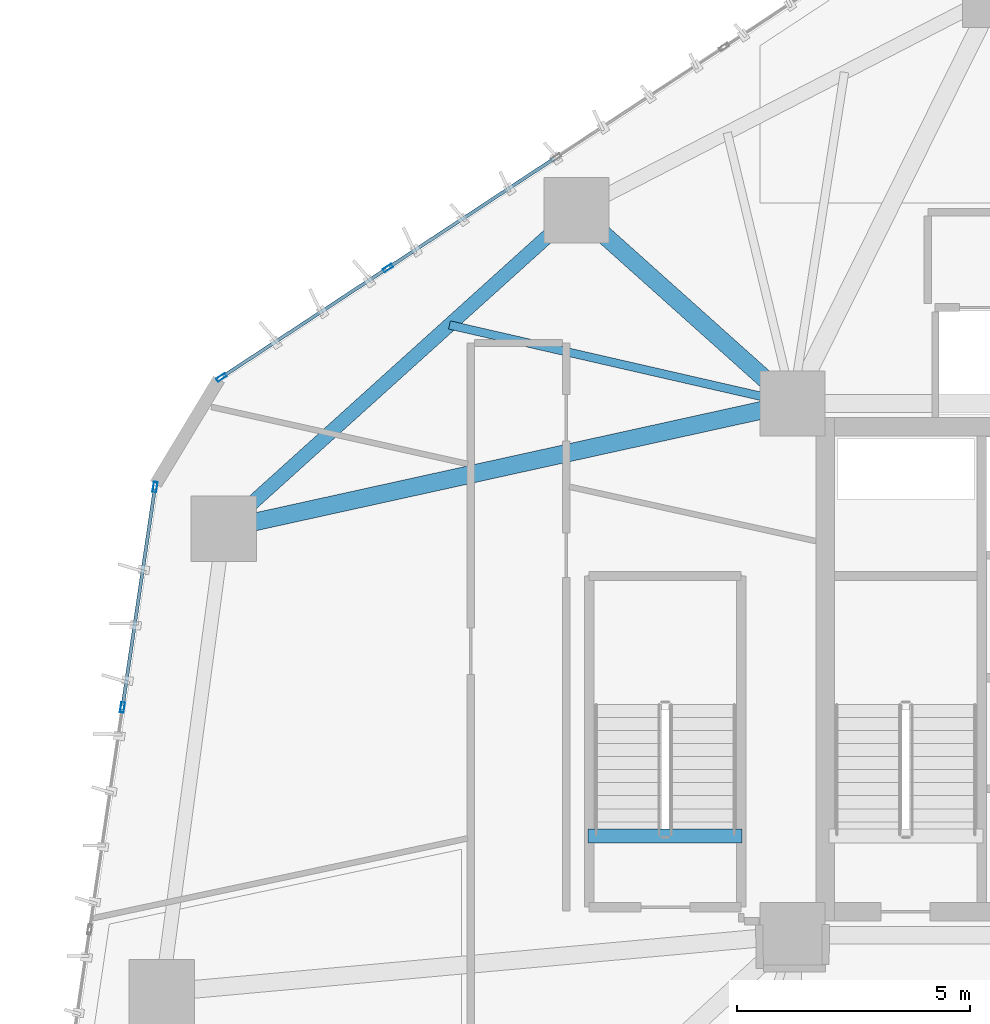
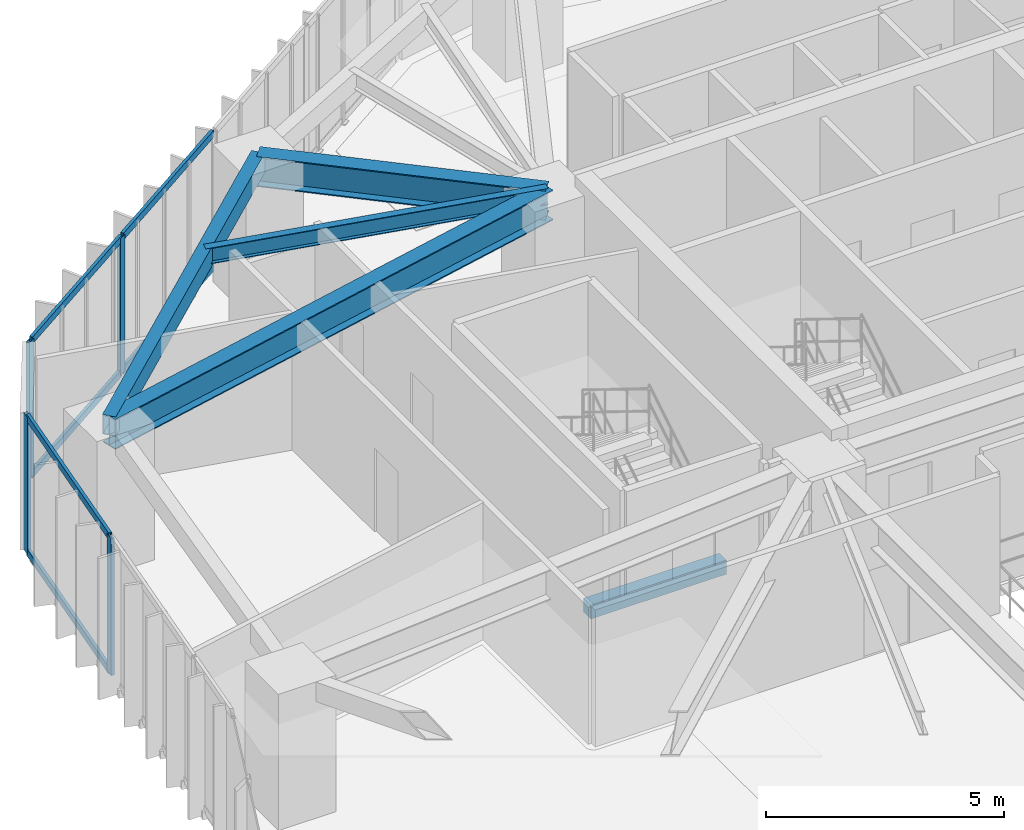
# One storey, part 6 of 20: 10 members, 5 beams, 2 elements without a shape of their own.
"""IFC4 building model written with IfcOpenShell, lengths in metres."""

from ifc_helpers import new_model, si_unit, direction, frame, origin, origin_2d, place, context, subcontext, project, spatial, rectangle, hollow_rectangle, i_section, extrude, source, transform, mapped, material, layer, layer_set, material_profile, profile_set, type_object, type_shapes, element, aggregate, save


model = new_model("IFC4")

# Units and contexts
model_context = context("Model", 3, precision=1e-05, world=origin(), true_north=direction((0.0, 1.0)))
body_context = subcontext(model_context, "Body", "Model", "MODEL_VIEW")
ifc_project = project(units=[si_unit("LENGTHUNIT", "METRE"), si_unit("AREAUNIT", "SQUARE_METRE"), si_unit("VOLUMEUNIT", "CUBIC_METRE"), si_unit("PLANEANGLEUNIT", "RADIAN"), si_unit("MASSUNIT", "GRAM", prefix="KILO")], contexts=[model_context])

# Site, building, storey
site_placement = place(None, origin())
site = spatial("IfcSite", under=ifc_project, at=site_placement, CompositionType="ELEMENT")
building_placement = place(site_placement, origin())
building = spatial("IfcBuilding", under=site, at=building_placement, Name="Talar Marvaseh", CompositionType="ELEMENT")
storey_placement = place(building_placement, frame((0.0, 0.0, 58.199951171875)))
storey = spatial("IfcBuildingStorey", under=building, at=storey_placement, Name="L14", CompositionType="ELEMENT", Elevation=58.199951171875)

# Beams
ifc_material_1 = material(Name="Concrete C40/50", Category="concrete")
ifc_material_profile_1 = material_profile(ifc_material_1, rectangle(XDim=0.300048828125, YDim=0.360107421875, at=origin_2d()), Name="RC300x360")
ifc_profile_set_1 = profile_set([ifc_material_profile_1], Name="Concrete C40/50")
beam_type_1 = type_object("IfcBeamType", Name="Concrete Stair Landing Trimmer Beam RC300x360", PredefinedType="SPANDREL", material=ifc_profile_set_1)
beam_1_placement = place(storey_placement, frame((17.6201171875, 27.6298828125, -0.179931640625), z_axis=(-1.0, 0.0, 0.0), x_axis=(0.0, -1.0, 0.0)))
element("IfcBeam", 1, at=beam_1_placement, inside=storey, type_object=beam_type_1, Name="L14 ST-3 Stair Nosing Trimmer Beam", PredefinedType="SPANDREL", context=body_context, shape_type="SweptSolid", body=[
    extrude(rectangle(XDim=0.300048828125, YDim=0.360107421875, at=origin_2d()), origin(), (0.0, 0.0, 1.0), 3.300048828125),
])
ifc_material_2 = material(Name="Steel S355", Category="steel")
ifc_material_profile_2 = material_profile(ifc_material_2, hollow_rectangle(XDim=0.300048828125, YDim=0.5, WallThickness=0.02001953125, at=origin_2d()), Name="RHS500x300x20")
ifc_profile_set_2 = profile_set([ifc_material_profile_2], Name="Steel S355")
beam_type_2 = type_object("IfcBeamType", Name="Zone 1 Perimeter Spandrel Beam RHS500x300x20", PredefinedType="SPANDREL", material=ifc_profile_set_2)
beam_2_placement = place(storey_placement, frame((6.501953125, 34.214111328125, 3.27001953125), z_axis=(0.742394279812, 0.669963232799, 0.0), x_axis=(-0.669963232799, 0.742394279812, 0.0)))
element("IfcBeam", 2, at=beam_2_placement, inside=storey, type_object=beam_type_2, Name="L14 Zone 1 Perimeter Spandrel Beam RHS500x300x20", PredefinedType="SPANDREL", context=body_context, shape_type="SweptSolid", body=[
    extrude(hollow_rectangle(XDim=0.300048828125, YDim=0.5, WallThickness=0.02001953125, at=origin_2d()), origin(), (0.0, 0.0, 1.0), 10.19287109375),
])
ifc_material_profile_3 = material_profile(ifc_material_2, i_section(OverallWidth=0.381103515625, OverallDepth=0.77294921875, WebThickness=0.0166015625, FlangeThickness=0.027099609375, at=origin_2d()), Name="W760x257")
ifc_profile_set_3 = profile_set([ifc_material_profile_3], Name="Steel S355")
beam_type_3 = type_object("IfcBeamType", Name="Zone 1 Radial Floor Girder W760x257", PredefinedType="BEAM", material=ifc_profile_set_3)
beam_3_placement = place(storey_placement, frame((6.501953125, 34.214111328125, 3.133544921875), z_axis=(0.976606962034, 0.215032187606, 0.0), x_axis=(-0.215032187606, 0.976606962034, 0.0)))
element("IfcBeam", 3, at=beam_3_placement, inside=storey, type_object=beam_type_3, Name="L14 Zone 1 Radial Floor Girder W760x257", PredefinedType="BEAM", context=body_context, shape_type="SweptSolid", body=[
    extrude(i_section(OverallWidth=0.381103515625, OverallDepth=0.77294921875, WebThickness=0.0166015625, FlangeThickness=0.027099609375, at=origin_2d()), origin(), (0.0, 0.0, 1.0), 12.490234375),
])
beam_4_placement = place(storey_placement, frame((14.069091796875, 41.04296875, 3.133544921875), z_axis=(0.745268030676, -0.666764997921, 0.0), x_axis=(0.666764997921, 0.745268030676, 0.0)))
element("IfcBeam", 4, at=beam_4_placement, inside=storey, type_object=beam_type_3, Name="L14 Zone 1 Radial Floor Girder W760x257", PredefinedType="BEAM", context=body_context, shape_type="SweptSolid", body=[
    extrude(i_section(OverallWidth=0.381103515625, OverallDepth=0.77294921875, WebThickness=0.0166015625, FlangeThickness=0.027099609375, at=origin_2d()), origin(), (0.0, 0.0, 1.0), 6.213623046875),
])
ifc_material_profile_4 = material_profile(ifc_material_2, i_section(OverallWidth=0.179931640625, OverallDepth=0.4130859375, WebThickness=0.009765625, FlangeThickness=0.01611328125, at=origin_2d()), Name="W410x75")
ifc_profile_set_4 = profile_set([ifc_material_profile_4], Name="Steel S355")
beam_type_4 = type_object("IfcBeamType", Name="Zone 1 Secondary Floor Joist W410x75", PredefinedType="JOIST", material=ifc_profile_set_4)
beam_5_placement = place(storey_placement, frame((11.344970703125, 38.584716796875, 3.3134765625), z_axis=(0.974752568621, -0.223287773885, 0.0), x_axis=(0.223287773885, 0.974752568621, 0.0)))
element("IfcBeam", 5, at=beam_5_placement, inside=storey, type_object=beam_type_4, Name="L14 Zone 1 Secondary Floor Joist W410x75", PredefinedType="JOIST", context=body_context, shape_type="SweptSolid", body=[
    extrude(i_section(OverallWidth=0.179931640625, OverallDepth=0.4130859375, WebThickness=0.009765625, FlangeThickness=0.01611328125, at=origin_2d()), origin(), (0.0, 0.0, 1.0), 7.54541015625),
])

# Curtain wall, members
ifc_material_3 = material(Name="Architectural Aluminium", Category="aluminium")
ifc_layer = layer(ifc_material_3, 0.219970703125)
ifc_layer_set = layer_set([ifc_layer], Name="Architectural Aluminium")
curtain_wall_type = type_object("IfcCurtainWallType", Name="Unitised Low-E Museum Curtain Wall Z1", PredefinedType="NOTDEFINED", material=ifc_layer_set)
curtain_wall_1_placement = place(storey_placement, origin())
curtain_wall_1 = element("IfcCurtainWall", 6, at=curtain_wall_1_placement, inside=storey, type_object=curtain_wall_type, Name="L14 Unitised Low-E Museum Curtain Wall Z1", PredefinedType="NOTDEFINED")
ifc_material_profile_5 = material_profile(ifc_material_3, hollow_rectangle(XDim=0.080078125, YDim=0.219970703125, WallThickness=0.0048828125, at=origin_2d()), Name="RHS220x80x5")
ifc_profile_set_5 = profile_set([ifc_material_profile_5], Name="Architectural Aluminium")
member_type_1 = type_object("IfcMemberType", Name="Unitised Curtain Wall Heavy Mullion RHS220x80x5", PredefinedType="MULLION", material=ifc_profile_set_5)
shared_shape_1 = source(origin(), body_context, "Body", "SweptSolid", [
    extrude(hollow_rectangle(XDim=0.080078125, YDim=0.219970703125, WallThickness=0.0048828125, at=origin_2d()), origin(), (0.0, 0.0, 1.0), 3.52001953125),
])
type_shapes(member_type_1, [shared_shape_1])
member_1_placement = place(storey_placement, frame((4.334228515625, 30.385009765625, 0.0), z_axis=(0.0, 0.0, 1.0), x_axis=(-0.989262405953, 0.146150238347, 0.0)))
member_1 = element("IfcMember", 7, at=member_1_placement, type_object=member_type_1, Name="CW-Z1 mullion 4", PredefinedType="MULLION", context=body_context, shape_type="MappedRepresentation", body=[
    mapped(shared_shape_1, transform((0.0, 0.0, 0.0), x_axis=(1.0, 0.0, 0.0), y_axis=(0.0, 1.0, 0.0), z_axis=(0.0, 0.0, 1.0), scale=1.0)),
])
member_2_placement = place(storey_placement, frame((5.032470703125, 35.1103515625, 0.0), z_axis=(0.0, 0.0, 1.0), x_axis=(-0.989262405953, 0.146150238347, 0.0)))
member_2 = element("IfcMember", 8, at=member_2_placement, type_object=member_type_1, Name="CW-Z1 mullion 5", PredefinedType="MULLION", context=body_context, shape_type="MappedRepresentation", body=[
    mapped(shared_shape_1, transform((0.0, 0.0, 0.0), x_axis=(1.0, 0.0, 0.0), y_axis=(0.0, 1.0, 0.0), z_axis=(0.0, 0.0, 1.0), scale=1.0)),
])

curtain_wall_2_placement = place(storey_placement, origin())
curtain_wall_2 = element("IfcCurtainWall", 9, at=curtain_wall_2_placement, inside=storey, type_object=curtain_wall_type, Name="L14 Unitised Low-E Museum Curtain Wall Z1", PredefinedType="NOTDEFINED")
member_3_placement = place(storey_placement, frame((6.4541015625, 37.458740234375, 0.0), z_axis=(0.0, 0.0, 1.0), x_axis=(-0.549283048067, 0.83563636416, 0.0)))
member_3 = element("IfcMember", 10, at=member_3_placement, type_object=member_type_1, Name="CW-Z1 mullion 1", PredefinedType="MULLION", context=body_context, shape_type="MappedRepresentation", body=[
    mapped(shared_shape_1, transform((0.0, 0.0, 0.0), x_axis=(1.0, 0.0, 0.0), y_axis=(0.0, 1.0, 0.0), z_axis=(0.0, 0.0, 1.0), scale=1.0)),
])
member_4_placement = place(storey_placement, frame((10.023681640625, 39.80517578125, 0.0), z_axis=(0.0, 0.0, 1.0), x_axis=(-0.549283048067, 0.83563636416, 0.0)))
member_4 = element("IfcMember", 11, at=member_4_placement, type_object=member_type_1, Name="CW-Z1 mullion 2", PredefinedType="MULLION", context=body_context, shape_type="MappedRepresentation", body=[
    mapped(shared_shape_1, transform((0.0, 0.0, 0.0), x_axis=(1.0, 0.0, 0.0), y_axis=(0.0, 1.0, 0.0), z_axis=(0.0, 0.0, 1.0), scale=1.0)),
])
ifc_material_profile_6 = material_profile(ifc_material_3, hollow_rectangle(XDim=0.074951171875, YDim=0.179931640625, WallThickness=0.0048828125, at=origin_2d()), Name="RHS180x75x5")
ifc_profile_set_6 = profile_set([ifc_material_profile_6], Name="Architectural Aluminium")
member_type_2 = type_object("IfcMemberType", Name="Unitised Curtain Wall Transom RHS180x75x5", PredefinedType="USERDEFINED", material=ifc_profile_set_6)
shared_shape_2 = source(origin(), body_context, "Body", "SweptSolid", [
    extrude(hollow_rectangle(XDim=0.074951171875, YDim=0.179931640625, WallThickness=0.0048828125, at=origin_2d()), origin(), (0.0, 0.0, 1.0), 4.23193359375),
])
member_5_placement = place(storey_placement, frame((10.05712890625, 39.8271484375, 0.03759765625), z_axis=(0.835644955657, 0.549269977412, 0.0), x_axis=(-0.549269977412, 0.835644955657, 0.0)))
member_5 = element("IfcMember", 12, at=member_5_placement, type_object=member_type_2, Name="CW-Z1 transom 2.1", ObjectType="TRANSOM", PredefinedType="USERDEFINED", context=body_context, shape_type="MappedRepresentation", body=[
    mapped(shared_shape_2, transform((0.0, 0.0, 0.0), x_axis=(1.0, 0.0, 0.0), y_axis=(0.0, 1.0, 0.0), z_axis=(0.0, 0.0, 1.0), scale=1.0)),
])
member_6_placement = place(storey_placement, frame((10.05712890625, 39.8271484375, 3.482666015625), z_axis=(0.835644955657, 0.549269977412, 0.0), x_axis=(-0.549269977412, 0.835644955657, 0.0)))
member_6 = element("IfcMember", 13, at=member_6_placement, type_object=member_type_2, Name="CW-Z1 transom 2.2", ObjectType="TRANSOM", PredefinedType="USERDEFINED", context=body_context, shape_type="MappedRepresentation", body=[
    mapped(shared_shape_2, transform((0.0, 0.0, 0.0), x_axis=(1.0, 0.0, 0.0), y_axis=(0.0, 1.0, 0.0), z_axis=(0.0, 0.0, 1.0), scale=1.0)),
])

# Member
shared_shape_3 = source(origin(), body_context, "Body", "SweptSolid", [
    extrude(hollow_rectangle(XDim=0.074951171875, YDim=0.179931640625, WallThickness=0.0048828125, at=origin_2d()), origin(), (0.0, 0.0, 1.0), 4.696533203125),
])
member_7_placement = place(storey_placement, frame((4.340087890625, 30.424560546875, 0.03759765625), z_axis=(0.146179389073, 0.989258098885, 0.0), x_axis=(-0.989258098885, 0.146179389073, 0.0)))
member_7 = element("IfcMember", 14, at=member_7_placement, type_object=member_type_2, Name="CW-Z1 transom 4.1", ObjectType="TRANSOM", PredefinedType="USERDEFINED", context=body_context, shape_type="MappedRepresentation", body=[
    mapped(shared_shape_3, transform((0.0, 0.0, 0.0), x_axis=(1.0, 0.0, 0.0), y_axis=(0.0, 1.0, 0.0), z_axis=(0.0, 0.0, 1.0), scale=1.0)),
])

member_8_placement = place(storey_placement, frame((4.340087890625, 30.424560546875, 3.482666015625), z_axis=(0.146179389073, 0.989258098885, 0.0), x_axis=(-0.989258098885, 0.146179389073, 0.0)))
member_8 = element("IfcMember", 15, at=member_8_placement, type_object=member_type_2, Name="CW-Z1 transom 4.2", ObjectType="TRANSOM", PredefinedType="USERDEFINED", context=body_context, shape_type="MappedRepresentation", body=[
    mapped(shared_shape_3, transform((0.0, 0.0, 0.0), x_axis=(1.0, 0.0, 0.0), y_axis=(0.0, 1.0, 0.0), z_axis=(0.0, 0.0, 1.0), scale=1.0)),
])

aggregate(curtain_wall_1, [member_1, member_2, member_7, member_8])

shared_shape_4 = source(origin(), body_context, "Body", "SweptSolid", [
    extrude(hollow_rectangle(XDim=0.074951171875, YDim=0.179931640625, WallThickness=0.0048828125, at=origin_2d()), origin(), (0.0, 0.0, 1.0), 4.191650390625),
])
type_shapes(member_type_2, [shared_shape_2, shared_shape_3, shared_shape_4])
member_9_placement = place(storey_placement, frame((6.487548828125, 37.480712890625, 0.03759765625), z_axis=(0.835626041346, 0.549298752069, 0.0), x_axis=(-0.549298752069, 0.835626041346, 0.0)))
member_9 = element("IfcMember", 16, at=member_9_placement, type_object=member_type_2, Name="CW-Z1 transom 1.1", ObjectType="TRANSOM", PredefinedType="USERDEFINED", context=body_context, shape_type="MappedRepresentation", body=[
    mapped(shared_shape_4, transform((0.0, 0.0, 0.0), x_axis=(1.0, 0.0, 0.0), y_axis=(0.0, 1.0, 0.0), z_axis=(0.0, 0.0, 1.0), scale=1.0)),
])

member_10_placement = place(storey_placement, frame((6.487548828125, 37.480712890625, 3.482666015625), z_axis=(0.835626041346, 0.549298752069, 0.0), x_axis=(-0.549298752069, 0.835626041346, 0.0)))
member_10 = element("IfcMember", 17, at=member_10_placement, type_object=member_type_2, Name="CW-Z1 transom 1.2", ObjectType="TRANSOM", PredefinedType="USERDEFINED", context=body_context, shape_type="MappedRepresentation", body=[
    mapped(shared_shape_4, transform((0.0, 0.0, 0.0), x_axis=(1.0, 0.0, 0.0), y_axis=(0.0, 1.0, 0.0), z_axis=(0.0, 0.0, 1.0), scale=1.0)),
])

aggregate(curtain_wall_2, [member_3, member_4, member_9, member_10, member_5, member_6])

save(model, "model.ifc")
